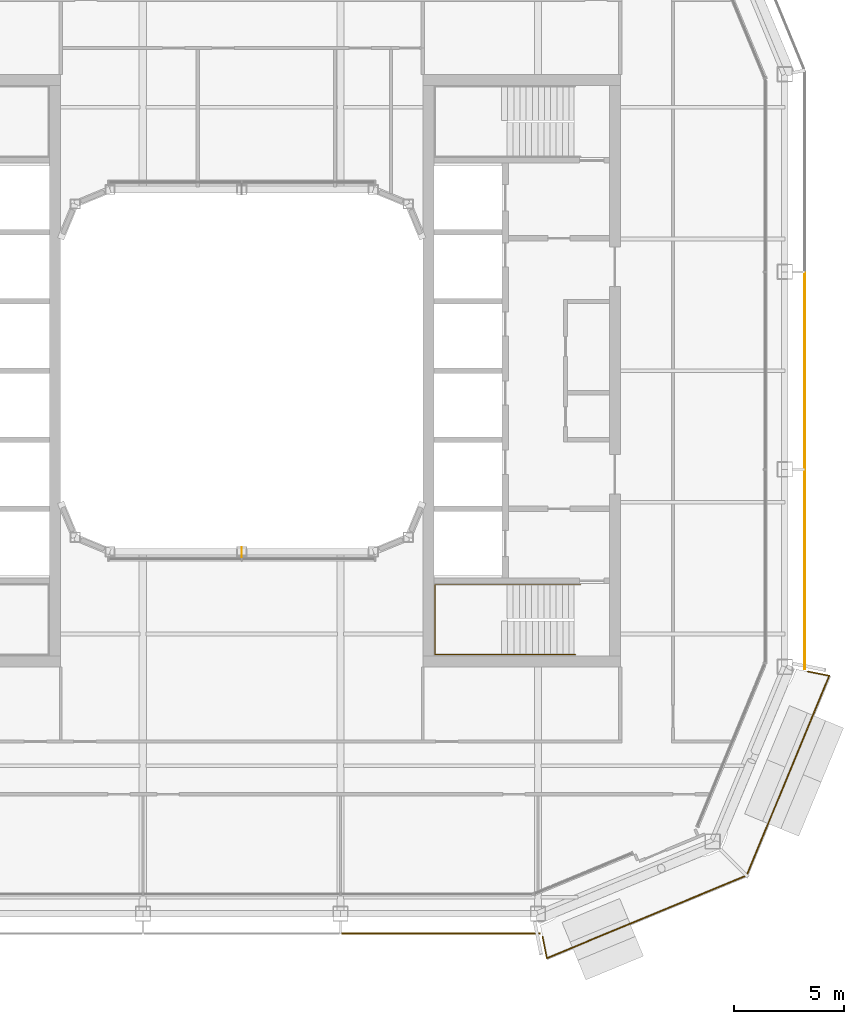
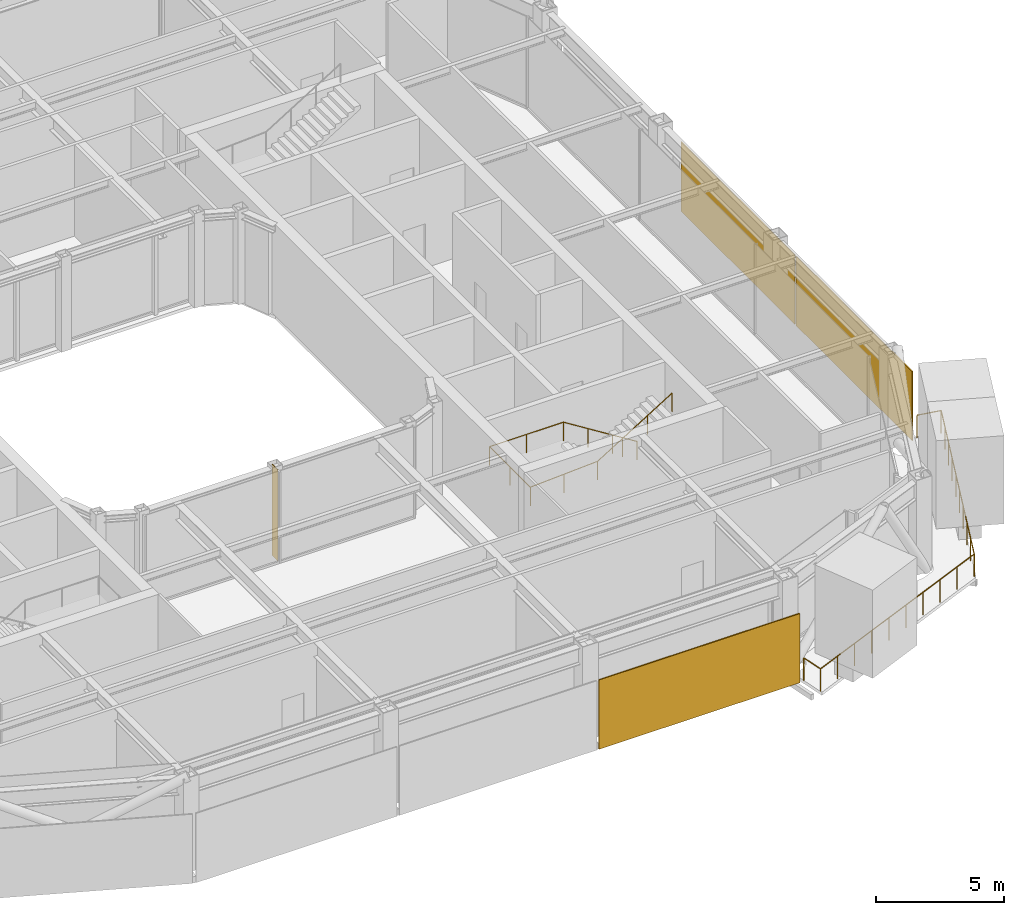
# One storey, part 18 of 21: 3 coverings, 2 railings, 1 shading device.
"""IFC4 building model written with IfcOpenShell, lengths in metres."""

import ifcopenshell
import ifcopenshell.guid

model = None  # the IFC model being written
_history = None  # IfcOwnerHistory: only IFC2X3 demands one
_inside = {}  # id of a spatial element -> (the spatial element, [elements in it])
_under = {}  # id of a project, library or spatial element -> (it, [spatial elements below it])
_declared = {}  # id of a project -> (the project, [libraries it declares])
_typed = {}  # id of a type object -> (the type object, [elements of that type])
_made_of = {}  # id of a material, layer set ... -> (it, [elements and type objects made of it])


def new_model(schema):
    """Start an empty IFC model of exactly this schema.

    Asked for "IFC4X3", IfcOpenShell would pick the latest addendum, in which some entities
    have other attributes; the version numbers below select the first issue.
    IFC2X3 requires an IfcOwnerHistory on every rooted entity: one is made here for all.
    """
    global model, _history
    if schema == "IFC4X3":
        model = ifcopenshell.file(schema_version=(4, 3, 0, 0))
    else:
        model = ifcopenshell.file(schema=schema)
    _inside.clear()
    _under.clear()
    _declared.clear()
    _typed.clear()
    _made_of.clear()
    _history = None
    if model.schema == "IFC2X3":
        org = make("IfcOrganization", Name="unknown")
        user = make(
            "IfcPersonAndOrganization",
            ThePerson=make("IfcPerson", FamilyName="unknown"),
            TheOrganization=org,
        )
        app = make(
            "IfcApplication",
            ApplicationDeveloper=org,
            Version="unknown",
            ApplicationFullName="unknown",
            ApplicationIdentifier="unknown",
        )
        _history = make(
            "IfcOwnerHistory",
            OwningUser=user,
            OwningApplication=app,
            ChangeAction="ADDED",
            CreationDate=0,
        )
    return model


def make(cls, **values):
    """One entity of the class cls with the attributes given. An attribute that is None is left unset."""
    return model.create_entity(
        cls, **{name: value for name, value in values.items() if value is not None}
    )


def rooted(cls, **values):
    """An entity with a GlobalId (a new one), such as an element, a storey or a relation."""
    return make(cls, GlobalId=ifcopenshell.guid.new(), OwnerHistory=_history, **values)


def si_unit(unit_type, name, prefix=None):
    """IfcSIUnit, for example si_unit("LENGTHUNIT", "METRE", prefix="MILLI")."""
    return make("IfcSIUnit", UnitType=unit_type, Prefix=prefix, Name=name)


def assignment(units):
    """IfcUnitAssignment: the units of a project."""
    return None if units is None else make("IfcUnitAssignment", Units=units)


def point(xyz):
    """IfcCartesianPoint."""
    return None if xyz is None else make("IfcCartesianPoint", Coordinates=xyz)


def direction(xyz):
    """IfcDirection."""
    return None if xyz is None else make("IfcDirection", DirectionRatios=xyz)


def frame(location, z_axis=None, x_axis=None):
    """IfcAxis2Placement3D, a coordinate frame: its origin and axes. An axis left out is left unset."""
    return make(
        "IfcAxis2Placement3D",
        Location=point(location),
        Axis=direction(z_axis),
        RefDirection=direction(x_axis),
    )


def frame_2d(location, x_axis=None):
    """IfcAxis2Placement2D, a coordinate frame in the plane: its origin and x axis."""
    return make(
        "IfcAxis2Placement2D", Location=point(location), RefDirection=direction(x_axis)
    )


def origin():
    """The frame at (0, 0, 0) with its axes left unset."""
    return frame((0.0, 0.0, 0.0))


def origin_2d():
    """The frame at (0, 0) in the plane with its x axis left unset."""
    return frame_2d((0.0, 0.0))


def place(relative_to, where):
    """IfcLocalPlacement: puts the frame where relative to a parent placement (None: the world)."""
    return make(
        "IfcLocalPlacement", PlacementRelTo=relative_to, RelativePlacement=where
    )


def context(
    kind, dimensions, precision=None, world=None, true_north=None, identifier=None
):
    """IfcGeometricRepresentationContext, for example the 3D "Model" context."""
    return make(
        "IfcGeometricRepresentationContext",
        ContextIdentifier=identifier,
        ContextType=kind,
        CoordinateSpaceDimension=dimensions,
        Precision=precision,
        WorldCoordinateSystem=world,
        TrueNorth=true_north,
    )


def subcontext(parent, identifier, kind, view, scale=None):
    """IfcGeometricRepresentationSubContext, for example "Body" below "Model"."""
    return make(
        "IfcGeometricRepresentationSubContext",
        ContextIdentifier=identifier,
        ContextType=kind,
        ParentContext=parent,
        TargetScale=scale,
        TargetView=view,
    )


def project(units=None, contexts=None):
    """IfcProject with its units and contexts."""
    return rooted(
        "IfcProject",
        Name="project",
        RepresentationContexts=contexts,
        UnitsInContext=assignment(units),
    )


def spatial(cls, under=None, at=None, **own):
    """A site, building, storey or space (cls), placed at a placement, below another one or the project."""
    s = rooted(cls, ObjectPlacement=at, **own)
    if under is not None:
        _under.setdefault(under.id(), (under, []))[1].append(s)
    return s


def profile(cls, at=None, kind="AREA", **sizes):
    """A parametric profile (cls). Its sizes go by their IFC names, for example OverallWidth=200.0."""
    return make(cls, ProfileType=kind, Position=at, **sizes)


def rectangle(**sizes):
    """IfcRectangleProfileDef."""
    return profile("IfcRectangleProfileDef", **sizes)


def circle(**sizes):
    """IfcCircleProfileDef."""
    return profile("IfcCircleProfileDef", **sizes)


def extrude(swept, where, along, depth):
    """IfcExtrudedAreaSolid: the profile swept, set in the frame where, extruded along a direction by depth."""
    return make(
        "IfcExtrudedAreaSolid",
        SweptArea=swept,
        Position=where,
        ExtrudedDirection=direction(along),
        Depth=depth,
    )


def shape(context_of_items, identifier, shape_type, items):
    """IfcShapeRepresentation: the items that make up one representation, for example the "Body"."""
    return make(
        "IfcShapeRepresentation",
        ContextOfItems=context_of_items,
        RepresentationIdentifier=identifier,
        RepresentationType=shape_type,
        Items=items,
    )


def material(Name=None, Category=None):
    """IfcMaterial."""
    return make("IfcMaterial", Name=Name, Category=Category)


def layer(
    of_material, thickness, ventilated=None, Name=None, Category=None, Priority=None
):
    """IfcMaterialLayer: one layer of a wall or slab, of a material (None: an air gap)."""
    return make(
        "IfcMaterialLayer",
        Material=of_material,
        LayerThickness=thickness,
        IsVentilated=ventilated,
        Name=Name,
        Category=Category,
        Priority=Priority,
    )


def layer_set(layers, Name=None):
    """IfcMaterialLayerSet."""
    return make("IfcMaterialLayerSet", MaterialLayers=layers, LayerSetName=Name)


def made_of(thing, what):
    """Note that an element or type object is made of a material, layer set ...; save() writes the relation."""
    if what is not None:
        _made_of.setdefault(what.id(), (what, []))[1].append(thing)
    return thing


def type_object(cls, material=None, **own):
    """A type object (cls), such as IfcWallType, which elements share."""
    return made_of(rooted(cls, **own), material)


def element(
    cls,
    number,
    at=None,
    inside=None,
    cuts=None,
    type_object=None,
    material=None,
    context=None,
    identifier="Body",
    shape_type=None,
    held_by="IfcProductDefinitionShape",
    body=None,
    shapes=None,
    **own,
):
    """One element of the class cls, such as IfcWall. Its Tag is "e" and its number.

    at: its placement. inside: the storey or other place that contains it. cuts: it is an
    opening in that element (IfcRelVoidsElement). A single representation is given by context,
    identifier, shape_type and body (its items); several are given by shapes. held_by: the class
    of the entity that holds the representations. save() writes the other relations.
    """
    e = rooted(cls, Tag="e%d" % number, ObjectPlacement=at, **own)
    if body is not None:
        shapes = [shape(context, identifier, shape_type, body)]
    if shapes is not None:
        e.Representation = make(held_by, Representations=shapes)
    if inside is not None:
        _inside.setdefault(inside.id(), (inside, []))[1].append(e)
    if cuts is not None:
        rooted(
            "IfcRelVoidsElement", RelatingBuildingElement=cuts, RelatedOpeningElement=e
        )
    if type_object is not None:
        _typed.setdefault(type_object.id(), (type_object, []))[1].append(e)
    return made_of(e, material)


def aggregate(whole, parts):
    """IfcRelAggregates: a whole, such as a stair, and the parts it consists of."""
    return rooted("IfcRelAggregates", RelatingObject=whole, RelatedObjects=parts)


def save(model, path):
    """Write the relations noted so far, then the file.

    IfcRelAggregates (storeys below a building ...), IfcRelContainedInSpatialStructure (elements
    in a storey), IfcRelDefinesByType, IfcRelAssociatesMaterial and IfcRelDeclares: one each for
    every whole, place, type object, material and project.
    """
    for whole, parts in _under.values():
        aggregate(whole, parts)
    for where, things in _inside.values():
        rooted(
            "IfcRelContainedInSpatialStructure",
            RelatedElements=things,
            RelatingStructure=where,
        )
    for kind, things in _typed.values():
        rooted("IfcRelDefinesByType", RelatedObjects=things, RelatingType=kind)
    for what, things in _made_of.values():
        rooted("IfcRelAssociatesMaterial", RelatedObjects=things, RelatingMaterial=what)
    for by, libraries in _declared.values():
        rooted("IfcRelDeclares", RelatingContext=by, RelatedDefinitions=libraries)
    model.write(path)


model = new_model("IFC4")

# Units and contexts
model_context = context("Model", 3, precision=1e-05, world=origin(), true_north=direction((0.0, 1.0)))
body_context = subcontext(model_context, "Body", "Model", "MODEL_VIEW")
ifc_project = project(units=[si_unit("LENGTHUNIT", "METRE"), si_unit("AREAUNIT", "SQUARE_METRE"), si_unit("VOLUMEUNIT", "CUBIC_METRE"), si_unit("PLANEANGLEUNIT", "RADIAN"), si_unit("MASSUNIT", "GRAM", prefix="KILO")], contexts=[model_context])

# Site, building, storey
site_placement = place(None, origin())
site = spatial("IfcSite", under=ifc_project, at=site_placement, CompositionType="ELEMENT")
building_placement = place(site_placement, origin())
building = spatial("IfcBuilding", under=site, at=building_placement, Name="Siwar Civic Tower", CompositionType="ELEMENT")
storey_placement = place(building_placement, frame((0.0, 0.0, 339.199951171875)))
storey = spatial("IfcBuildingStorey", under=building, at=storey_placement, Name="L73", CompositionType="ELEMENT", Elevation=339.199951171875)

# Railing
ifc_material_1 = material(Name="Stainless steel", Category="steel")
railing_type_1 = type_object("IfcRailingType", Name="CORE-STAIR-HANDRAIL", PredefinedType="HANDRAIL", material=ifc_material_1)
railing_1_placement = place(storey_placement, frame((15.449951171875, -9.758056640625, 0.173095703125)))
element("IfcRailing", 1, at=railing_1_placement, inside=storey, type_object=railing_type_1, Name="Stair handrail ST4", PredefinedType="HANDRAIL", context=body_context, shape_type="SweptSolid", body=[
    extrude(circle(Radius=0.02001953125, at=origin_2d()), frame((0.0, 0.0, 0.8798828125), z_axis=(-0.847063342986, 0.0, 0.531491950051), x_axis=(0.0, -1.0, 0.0)), (0.0, 0.0, 1.0), 3.90771484375),
    extrude(circle(Radius=0.02001953125, at=origin_2d()), frame((-3.31005859375, 0.0, 2.956787109375), z_axis=(-1.0, 0.0, 0.0), x_axis=(0.0, -1.0, 0.0)), (0.0, 0.0, 1.0), 3.331787109375),
    extrude(circle(Radius=0.02001953125, at=origin_2d()), frame((-6.641845703125, 0.0, 2.956787109375), z_axis=(0.0, -1.0, 0.0), x_axis=(1.0, 0.0, 0.0)), (0.0, 0.0, 1.0), 3.183837890625),
    extrude(circle(Radius=0.02001953125, at=origin_2d()), frame((-6.641845703125, -3.183837890625, 2.956787109375), z_axis=(0.99837434197, 0.0, 0.056997134106), x_axis=(0.0, 1.0, 0.0)), (0.0, 0.0, 1.0), 3.036865234375),
    extrude(circle(Radius=0.02001953125, at=origin_2d()), frame((-3.60986328125, -3.183837890625, 3.1298828125), z_axis=(0.850606129759, 0.0, 0.525803396734), x_axis=(0.0, 1.0, 0.0)), (0.0, 0.0, 1.0), 3.949951171875),
    extrude(circle(Radius=0.02001953125, at=origin_2d()), origin(), (0.0, 0.0, 1.0), 0.85986328125),
    extrude(circle(Radius=0.02001953125, at=origin_2d()), frame((-1.103271484375, 0.0, 0.6923828125)), (0.0, 0.0, 1.0), 0.85986328125),
    extrude(circle(Radius=0.02001953125, at=origin_2d()), frame((-2.206787109375, 0.0, 1.384521484375)), (0.0, 0.0, 1.0), 0.85986328125),
    extrude(circle(Radius=0.02001953125, at=origin_2d()), frame((-3.31005859375, 0.0, 2.076904296875)), (0.0, 0.0, 1.0), 0.85986328125),
    extrude(circle(Radius=0.02001953125, at=origin_2d()), frame((-4.97607421875, 0.0, 2.076904296875)), (0.0, 0.0, 1.0), 0.85986328125),
    extrude(circle(Radius=0.02001953125, at=origin_2d()), frame((-6.641845703125, 0.0, 2.076904296875)), (0.0, 0.0, 1.0), 0.85986328125),
    extrude(circle(Radius=0.02001953125, at=origin_2d()), frame((-6.641845703125, -1.591796875, 2.076904296875)), (0.0, 0.0, 1.0), 0.85986328125),
    extrude(circle(Radius=0.02001953125, at=origin_2d()), frame((-6.641845703125, -3.183837890625, 2.076904296875)), (0.0, 0.0, 1.0), 0.85986328125),
    extrude(circle(Radius=0.02001953125, at=origin_2d()), frame((-5.1259765625, -3.183837890625, 2.16357421875)), (0.0, 0.0, 1.0), 0.85986328125),
    extrude(circle(Radius=0.02001953125, at=origin_2d()), frame((-3.60986328125, -3.183837890625, 2.25)), (0.0, 0.0, 1.0), 0.85986328125),
    extrude(circle(Radius=0.02001953125, at=origin_2d()), frame((-2.489990234375, -3.183837890625, 2.9423828125)), (0.0, 0.0, 1.0), 0.85986328125),
    extrude(circle(Radius=0.02001953125, at=origin_2d()), frame((-1.369873046875, -3.183837890625, 3.634521484375)), (0.0, 0.0, 1.0), 0.85986328125),
    extrude(circle(Radius=0.02001953125, at=origin_2d()), frame((-0.25, -3.183837890625, 4.326904296875)), (0.0, 0.0, 1.0), 0.85986328125),
])

# Shading device
ifc_material_2 = material(Name="Aluminium 6063-T6", Category="aluminium")
ifc_layer_1 = layer(ifc_material_2, 0.02001953125)
ifc_layer_set_1 = layer_set([ifc_layer_1], Name="Aluminium 6063-T6")
shading_device_type = type_object("IfcShadingDeviceType", Name="ENV-FIN", PredefinedType="JALOUSIE", material=ifc_layer_set_1)
shading_device_placement = place(storey_placement, frame((0.0, -8.27001953125, 0.0), z_axis=(0.0, 0.0, 1.0), x_axis=(1.0, 0.0, 0.0)))
element("IfcShadingDevice", 2, at=shading_device_placement, inside=storey, type_object=shading_device_type, Name="SUNSHADE fin WS 1", PredefinedType="JALOUSIE", context=body_context, shape_type="SweptSolid", body=[
    extrude(rectangle(XDim=0.02001953125, YDim=0.449951171875, at=origin_2d()), origin(), (0.0, 0.0, 1.0), 4.35009765625),
])

# Railing
ifc_material_3 = material(Name="Stainless steel 316", Category="steel")
railing_type_2 = type_object("IfcRailingType", Name="ENV-GUARD", PredefinedType="GUARDRAIL", material=ifc_material_3)
railing_2_placement = place(storey_placement, frame((13.708251953125, -25.797119140625, 0.0)))
element("IfcRailing", 3, at=railing_2_placement, inside=storey, type_object=railing_type_2, Name="Balcony guard SE", PredefinedType="GUARDRAIL", context=body_context, shape_type="SweptSolid", body=[
    extrude(circle(Radius=0.02392578125, at=origin_2d()), frame((0.0, 0.0, 1.076171875), z_axis=(0.195123592472, -0.980778661911, 0.0), x_axis=(0.980778661911, 0.195123592472, 0.0)), (0.0, 0.0, 1.0), 0.993408203125),
    extrude(circle(Radius=0.02392578125, at=origin_2d()), frame((0.19384765625, -0.974365234375, 1.076171875), z_axis=(0.924056377406, 0.38225621169, 0.0), x_axis=(-0.38225621169, 0.924056377406, 0.0)), (0.0, 0.0, 1.0), 9.851806640625),
    extrude(circle(Radius=0.02392578125, at=origin_2d()), frame((9.29736328125, 2.79150390625, 1.076171875), z_axis=(0.38225621169, 0.924056377406, 0.0), x_axis=(-0.924056377406, 0.38225621169, 0.0)), (0.0, 0.0, 1.0), 9.851806640625),
    extrude(circle(Radius=0.02392578125, at=origin_2d()), frame((13.063232421875, 11.89501953125, 1.076171875), z_axis=(-0.980778661911, 0.195123592472, 0.0), x_axis=(-0.195123592472, -0.980778661911, 0.0)), (0.0, 0.0, 1.0), 0.993408203125),
    extrude(circle(Radius=0.02099609375, at=origin_2d()), origin(), (0.0, 0.0, 1.0), 1.052001953125),
    extrude(circle(Radius=0.02099609375, at=origin_2d()), frame((0.19384765625, -0.974365234375, 0.0)), (0.0, 0.0, 1.0), 1.052001953125),
    extrude(circle(Radius=0.02099609375, at=origin_2d()), frame((1.205322265625, -0.555908203125, 0.0)), (0.0, 0.0, 1.0), 1.052001953125),
    extrude(circle(Radius=0.02099609375, at=origin_2d()), frame((2.216796875, -0.137451171875, 0.0)), (0.0, 0.0, 1.0), 1.052001953125),
    extrude(circle(Radius=0.02099609375, at=origin_2d()), frame((3.228271484375, 0.281005859375, 0.0)), (0.0, 0.0, 1.0), 1.052001953125),
    extrude(circle(Radius=0.02099609375, at=origin_2d()), frame((4.23974609375, 0.699462890625, 0.0)), (0.0, 0.0, 1.0), 1.052001953125),
    extrude(circle(Radius=0.02099609375, at=origin_2d()), frame((5.25146484375, 1.11767578125, 0.0)), (0.0, 0.0, 1.0), 1.052001953125),
    extrude(circle(Radius=0.02099609375, at=origin_2d()), frame((6.262939453125, 1.5361328125, 0.0)), (0.0, 0.0, 1.0), 1.052001953125),
    extrude(circle(Radius=0.02099609375, at=origin_2d()), frame((7.2744140625, 1.95458984375, 0.0)), (0.0, 0.0, 1.0), 1.052001953125),
    extrude(circle(Radius=0.02099609375, at=origin_2d()), frame((8.285888671875, 2.373046875, 0.0)), (0.0, 0.0, 1.0), 1.052001953125),
    extrude(circle(Radius=0.02099609375, at=origin_2d()), frame((9.29736328125, 2.79150390625, 0.0)), (0.0, 0.0, 1.0), 1.052001953125),
    extrude(circle(Radius=0.02099609375, at=origin_2d()), frame((9.7158203125, 3.802978515625, 0.0)), (0.0, 0.0, 1.0), 1.052001953125),
    extrude(circle(Radius=0.02099609375, at=origin_2d()), frame((10.13427734375, 4.814453125, 0.0)), (0.0, 0.0, 1.0), 1.052001953125),
    extrude(circle(Radius=0.02099609375, at=origin_2d()), frame((10.552734375, 5.825927734375, 0.0)), (0.0, 0.0, 1.0), 1.052001953125),
    extrude(circle(Radius=0.02099609375, at=origin_2d()), frame((10.97119140625, 6.83740234375, 0.0)), (0.0, 0.0, 1.0), 1.052001953125),
    extrude(circle(Radius=0.02099609375, at=origin_2d()), frame((11.389404296875, 7.84912109375, 0.0)), (0.0, 0.0, 1.0), 1.052001953125),
    extrude(circle(Radius=0.02099609375, at=origin_2d()), frame((11.807861328125, 8.860595703125, 0.0)), (0.0, 0.0, 1.0), 1.052001953125),
    extrude(circle(Radius=0.02099609375, at=origin_2d()), frame((12.226318359375, 9.8720703125, 0.0)), (0.0, 0.0, 1.0), 1.052001953125),
    extrude(circle(Radius=0.02099609375, at=origin_2d()), frame((12.644775390625, 10.883544921875, 0.0)), (0.0, 0.0, 1.0), 1.052001953125),
    extrude(circle(Radius=0.02099609375, at=origin_2d()), frame((13.063232421875, 11.89501953125, 0.0)), (0.0, 0.0, 1.0), 1.052001953125),
    extrude(circle(Radius=0.02099609375, at=origin_2d()), frame((12.0888671875, 12.0888671875, 0.0)), (0.0, 0.0, 1.0), 1.052001953125),
])

# Coverings
ifc_material_4 = material(Name="Perforated aluminium cassette, pale metal", Category="aluminium")
ifc_layer_2 = layer(ifc_material_4, 0.0400390625)
ifc_layer_set_2 = layer_set([ifc_layer_2], Name="Perforated aluminium cassette, pale metal")
covering_type_1 = type_object("IfcCoveringType", Name="ENV-OUTER SKIN OS-1", PredefinedType="CLADDING", material=ifc_layer_set_2)
covering_1_placement = place(storey_placement, frame((25.64990234375, -9.07958984375, -0.14990234375), z_axis=(0.0, 0.0, 1.0), x_axis=(0.0, 1.0, 0.0)))
element("IfcCovering", 4, at=covering_1_placement, inside=storey, type_object=covering_type_1, Name="OUTER SKIN OS-1 E 1", PredefinedType="CLADDING", context=body_context, shape_type="SweptSolid", body=[
    extrude(rectangle(XDim=9.05908203125, YDim=0.0400390625, at=origin_2d()), origin(), (0.0, 0.0, 1.0), 3.300048828125),
])
covering_2_placement = place(storey_placement, frame((25.64990234375, 0.0, -0.14990234375), z_axis=(0.0, 0.0, 1.0), x_axis=(0.0, 1.0, 0.0)))
element("IfcCovering", 5, at=covering_2_placement, inside=storey, type_object=covering_type_1, Name="OUTER SKIN OS-1 E 2", PredefinedType="CLADDING", context=body_context, shape_type="SweptSolid", body=[
    extrude(rectangle(XDim=8.89990234375, YDim=0.0400390625, at=origin_2d()), origin(), (0.0, 0.0, 1.0), 3.300048828125),
])
ifc_material_5 = material(Name="Perforated aluminium cassette, pale metal", Category="aluminium")
ifc_layer_3 = layer(ifc_material_5, 0.054931640625)
ifc_layer_set_3 = layer_set([ifc_layer_3], Name="Perforated aluminium cassette, pale metal")
covering_type_2 = type_object("IfcCoveringType", Name="ENV-OUTER SKIN OS-4", PredefinedType="CLADDING", material=ifc_layer_set_3)
covering_3_placement = place(storey_placement, frame((9.07958984375, -25.64990234375, -0.14990234375), z_axis=(0.0, 0.0, 1.0), x_axis=(1.0, 0.0, 0.0)))
element("IfcCovering", 6, at=covering_3_placement, inside=storey, type_object=covering_type_2, Name="OUTER SKIN OS-4 S 3", PredefinedType="CLADDING", context=body_context, shape_type="SweptSolid", body=[
    extrude(rectangle(XDim=9.05908203125, YDim=0.054931640625, at=origin_2d()), origin(), (0.0, 0.0, 1.0), 3.300048828125),
])

save(model, "model.ifc")
